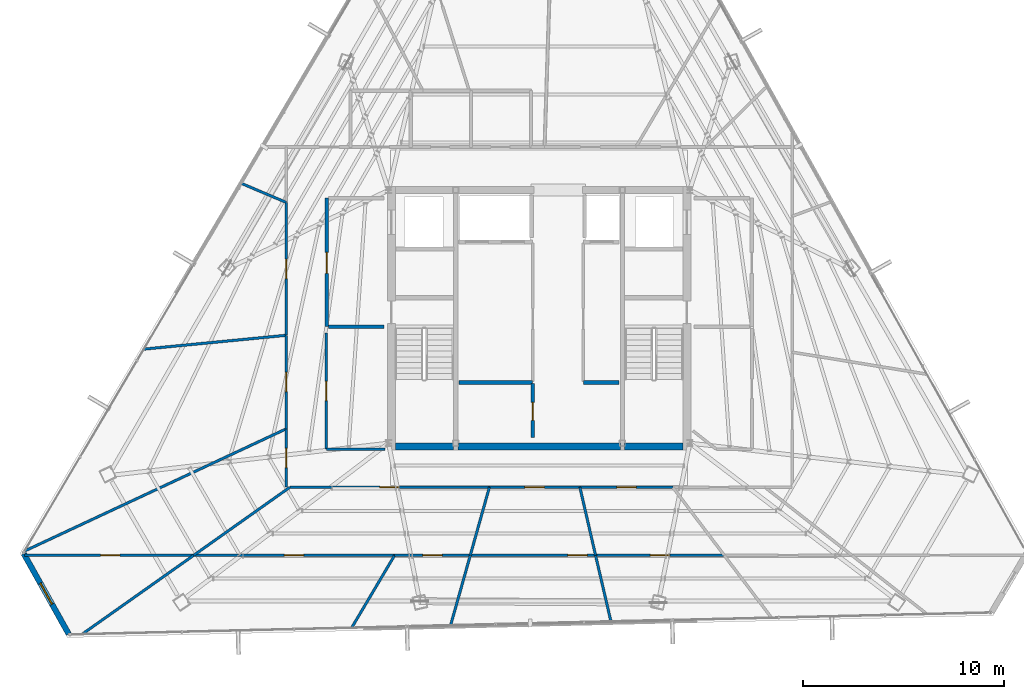
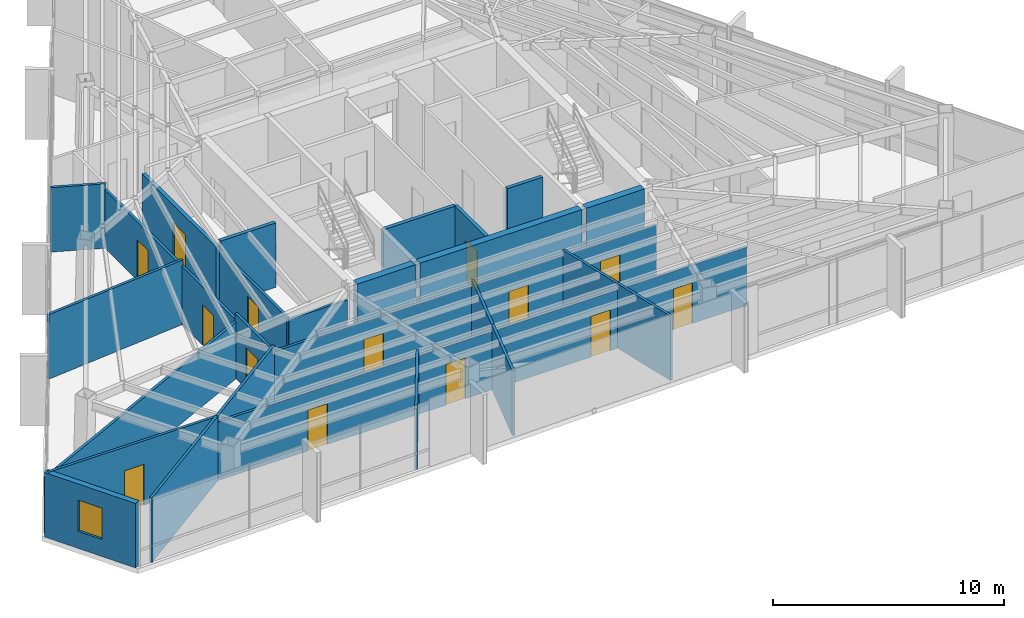
# One storey, part 40 of 45: 32 walls, 14 doors, 1 window, 15 openings.
"""IFC4 building model written with IfcOpenShell, lengths in metres."""

from ifc_helpers import new_model, si_unit, direction, frame, frame_2d, origin, place, context, subcontext, project, spatial, rectangle, extrude, material, layer, layer_set, type_object, element, fill, save


model = new_model("IFC4")

# Units and contexts
model_context = context("Model", 3, precision=1e-05, world=origin(), true_north=direction((0.0, 1.0)))
body_context = subcontext(model_context, "Body", "Model", "MODEL_VIEW")
ifc_project = project(units=[si_unit("LENGTHUNIT", "METRE"), si_unit("AREAUNIT", "SQUARE_METRE"), si_unit("VOLUMEUNIT", "CUBIC_METRE"), si_unit("PLANEANGLEUNIT", "RADIAN"), si_unit("MASSUNIT", "GRAM", prefix="KILO")], contexts=[model_context])

# Site, building, storey
site_placement = place(None, origin())
site = spatial("IfcSite", under=ifc_project, at=site_placement, CompositionType="ELEMENT")
building_placement = place(site_placement, origin())
building = spatial("IfcBuilding", under=site, at=building_placement, Name="Caelisora Broadcast Tower", CompositionType="ELEMENT")
storey_placement = place(building_placement, frame((0.0, 0.0, 262.699951171875)))
storey = spatial("IfcBuildingStorey", under=building, at=storey_placement, Name="L69", CompositionType="ELEMENT", Elevation=262.699951171875)

# Walls
ifc_material_1 = material(Name="Concrete 40 MPa (AS 3600 N40)", Category="concrete")
ifc_layer_1 = layer(ifc_material_1, 0.35009765625, Name="Concrete 40 MPa (AS 3600 N40)")
ifc_layer_set_1 = layer_set([ifc_layer_1], Name="Concrete 40 MPa (AS 3600 N40)")
wall_type_1 = type_object("IfcWallType", Name="CW6", PredefinedType="SHEAR", material=ifc_layer_set_1)
wall_1_placement = place(storey_placement, frame((30.840087890625, 17.22509765625, 0.0), z_axis=(0.0, 0.0, 1.0), x_axis=(1.0, 0.0, 0.0)))
element("IfcWall", 1, at=wall_1_placement, inside=storey, type_object=wall_type_1, Name="L69 core shear wall CW6", PredefinedType="SHEAR", context=body_context, shape_type="SweptSolid", body=[
    extrude(rectangle(XDim=2.89990234375, YDim=0.35009765625, at=frame_2d((1.449951171875, 0.0))), origin(), (0.0, 0.0, 1.0), 3.650146484375),
])
wall_2_placement = place(storey_placement, frame((33.9599609375, 17.22509765625, 0.0), z_axis=(0.0, 0.0, 1.0), x_axis=(1.0, 0.0, 0.0)))
element("IfcWall", 2, at=wall_2_placement, inside=storey, type_object=wall_type_1, Name="L69 core shear wall CW6", PredefinedType="SHEAR", context=body_context, shape_type="SweptSolid", body=[
    extrude(rectangle(XDim=8.080078125, YDim=0.35009765625, at=frame_2d((4.0400390625, 0.0))), origin(), (0.0, 0.0, 1.0), 3.650146484375),
])
wall_3_placement = place(storey_placement, frame((42.260009765625, 17.22509765625, 0.0), z_axis=(0.0, 0.0, 1.0), x_axis=(1.0, 0.0, 0.0)))
element("IfcWall", 3, at=wall_3_placement, inside=storey, type_object=wall_type_1, Name="L69 core shear wall CW6", PredefinedType="SHEAR", context=body_context, shape_type="SweptSolid", body=[
    extrude(rectangle(XDim=2.89990234375, YDim=0.35009765625, at=frame_2d((1.449951171875, 0.0))), origin(), (0.0, 0.0, 1.0), 3.650146484375),
])

# Wall, opening, window
ifc_material_2 = material(Name="Insulated Terracotta Spandrel Wall System", Category="masonry")
ifc_layer_2 = layer(ifc_material_2, 0.280029296875, Name="Insulated Terracotta Spandrel Wall System")
ifc_layer_set_2 = layer_set([ifc_layer_2], Name="Insulated Terracotta Spandrel Wall System")
wall_type_2 = type_object("IfcWallType", Name="EW1", PredefinedType="STANDARD", material=ifc_layer_set_2)
wall_4_placement = place(storey_placement, frame((14.5693359375, 7.89013671875, 0.0), z_axis=(0.0, 0.0, 1.0), x_axis=(-0.487948906059, 0.872872192864, 0.0)))
wall_4 = element("IfcWall", 4, at=wall_4_placement, inside=storey, type_object=wall_type_2, Name="L69 exterior envelope wall EW1", PredefinedType="STANDARD", context=body_context, shape_type="SweptSolid", body=[
    extrude(rectangle(XDim=4.590087890625, YDim=0.280029296875, at=frame_2d((2.294921875, 0.0))), origin(), (0.0, 0.0, 1.0), 3.400146484375),
])
opening_1_placement = place(wall_4_placement, frame((1.699951171875, 0.0, 0.89990234375)))
opening_1 = element("IfcOpeningElement", 5, at=opening_1_placement, cuts=wall_4, Name="Opening W03", PredefinedType="OPENING", context=body_context, shape_type="SweptSolid", body=[
    extrude(rectangle(XDim=1.199951171875, YDim=1.64990234375, at=frame_2d((0.60009765625, 0.824951171875))), frame((0.0, 0.152099609375, 0.0), z_axis=(0.0, -1.0, 0.0), x_axis=(1.0, 0.0, 0.0)), (0.0, 0.0, 1.0), 0.303955078125),
])
ifc_material_3 = material(Name="Double Glazed Corner Vision Window", Category="glass")
window_type = type_object("IfcWindowType", Name="W03", PartitioningType="SINGLE_PANEL", PredefinedType="WINDOW", material=ifc_material_3)
window_placement = place(opening_1_placement, origin())
window = element("IfcWindow", 6, at=window_placement, inside=storey, type_object=window_type, Name="L69 window W03 (L69-WN-CH4)", OverallHeight=1.64990234375, OverallWidth=1.199951171875, PartitioningType="SINGLE_PANEL", PredefinedType="WINDOW", context=body_context, shape_type="SweptSolid", body=[
    extrude(rectangle(XDim=1.199951171875, YDim=1.64990234375, at=frame_2d((0.60009765625, 0.824951171875))), frame((0.0, 0.030029296875, 0.0), z_axis=(0.0, -1.0, 0.0), x_axis=(1.0, 0.0, 0.0)), (0.0, 0.0, 1.0), 0.06005859375),
])
fill(opening_1, window)

# Wall, opening, door
ifc_material_4 = material(Name="Fire-Rated Gypsum Shaft and Compartment Wall", Category="gypsum")
ifc_layer_3 = layer(ifc_material_4, 0.179931640625, Name="Fire-Rated Gypsum Shaft and Compartment Wall")
ifc_layer_set_3 = layer_set([ifc_layer_3], Name="Fire-Rated Gypsum Shaft and Compartment Wall")
wall_type_3 = type_object("IfcWallType", Name="PW2", PredefinedType="PARTITIONING", material=ifc_layer_set_3)
wall_5_placement = place(storey_placement, frame((27.419921875, 23.199951171875, 0.0), z_axis=(0.0, 0.0, 1.0), x_axis=(0.0, 1.0, 0.0)))
wall_5 = element("IfcWall", 7, at=wall_5_placement, inside=storey, type_object=wall_type_3, Name="L69 fire compartment wall PW2", PredefinedType="PARTITIONING", context=body_context, shape_type="SweptSolid", body=[
    extrude(rectangle(XDim=6.400146484375, YDim=0.179931640625, at=frame_2d((3.2001953125, 0.0))), origin(), (0.0, 0.0, 1.0), 3.0849609375),
])
opening_2_placement = place(wall_5_placement, frame((2.64990234375, 0.0, 0.0)))
opening_2 = element("IfcOpeningElement", 8, at=opening_2_placement, cuts=wall_5, Name="Opening FD02", PredefinedType="OPENING", context=body_context, shape_type="SweptSolid", body=[
    extrude(rectangle(XDim=1.050048828125, YDim=2.14990234375, at=frame_2d((0.52490234375, 1.074951171875))), frame((0.0, 0.10205078125, 0.0), z_axis=(0.0, -1.0, 0.0), x_axis=(1.0, 0.0, 0.0)), (0.0, 0.0, 1.0), 0.203857421875),
])
ifc_material_5 = material(Name="Single-Leaf Steel Fire Lobby Door", Category="steel")
door_type_1 = type_object("IfcDoorType", Name="FD02", OperationType="NOTDEFINED", PredefinedType="DOOR", material=ifc_material_5)
door_1_placement = place(opening_2_placement, origin())
door_1 = element("IfcDoor", 9, at=door_1_placement, inside=storey, type_object=door_type_1, Name="L69 door FD02 (L69-DR-P01D1)", OperationType="SINGLE_SWING_LEFT", OverallHeight=2.14990234375, OverallWidth=1.050048828125, PredefinedType="DOOR", context=body_context, shape_type="SweptSolid", body=[
    extrude(rectangle(XDim=1.050048828125, YDim=2.14990234375, at=frame_2d((0.52490234375, 1.074951171875))), frame((0.0, 0.02490234375, 0.0), z_axis=(0.0, -1.0, 0.0), x_axis=(1.0, 0.0, 0.0)), (0.0, 0.0, 1.0), 0.050048828125),
])
fill(opening_2, door_1)

# Walls
wall_6_placement = place(storey_placement, frame((27.52001953125, 23.199951171875, 0.0), z_axis=(0.0, 0.0, 1.0), x_axis=(1.0, 0.0, 0.0)))
element("IfcWall", 10, at=wall_6_placement, inside=storey, type_object=wall_type_3, Name="L69 fire compartment wall PW2", PredefinedType="PARTITIONING", context=body_context, shape_type="SweptSolid", body=[
    extrude(rectangle(XDim=2.760009765625, YDim=0.179931640625, at=frame_2d((1.3798828125, 0.0))), origin(), (0.0, 0.0, 1.0), 3.400146484375),
])
wall_7_placement = place(storey_placement, frame((34.02001953125, 20.419921875, 0.0), z_axis=(0.0, 0.0, 1.0), x_axis=(1.0, 0.0, 0.0)))
element("IfcWall", 11, at=wall_7_placement, inside=storey, type_object=wall_type_3, Name="L69 fire compartment wall PW2", PredefinedType="PARTITIONING", context=body_context, shape_type="SweptSolid", body=[
    extrude(rectangle(XDim=3.639892578125, YDim=0.179931640625, at=frame_2d((1.81982421875, 0.0))), origin(), (0.0, 0.0, 1.0), 3.400146484375),
])
wall_8_placement = place(storey_placement, frame((40.219970703125, 20.419921875, 0.0), z_axis=(0.0, 0.0, 1.0), x_axis=(1.0, 0.0, 0.0)))
element("IfcWall", 12, at=wall_8_placement, inside=storey, type_object=wall_type_3, Name="L69 fire compartment wall PW2", PredefinedType="PARTITIONING", context=body_context, shape_type="SweptSolid", body=[
    extrude(rectangle(XDim=1.760009765625, YDim=0.179931640625, at=frame_2d((0.8798828125, 0.0))), origin(), (0.0, 0.0, 1.0), 3.400146484375),
])

# Wall, opening, door
wall_9_placement = place(storey_placement, frame((37.679931640625, 17.679931640625, 0.0), z_axis=(0.0, 0.0, 1.0), x_axis=(0.0, 1.0, 0.0)))
wall_9 = element("IfcWall", 13, at=wall_9_placement, inside=storey, type_object=wall_type_3, Name="L69 fire compartment wall PW2", PredefinedType="PARTITIONING", context=body_context, shape_type="SweptSolid", body=[
    extrude(rectangle(XDim=2.699951171875, YDim=0.179931640625, at=frame_2d((1.35009765625, 0.0))), origin(), (0.0, 0.0, 1.0), 3.400146484375),
])
opening_3_placement = place(wall_9_placement, frame((0.85009765625, 0.0, 0.0)))
opening_3 = element("IfcOpeningElement", 14, at=opening_3_placement, cuts=wall_9, Name="Opening FD03", PredefinedType="OPENING", context=body_context, shape_type="SweptSolid", body=[
    extrude(rectangle(XDim=0.89990234375, YDim=2.10009765625, at=frame_2d((0.449951171875, 1.050048828125))), frame((0.0, 0.10205078125, 0.0), z_axis=(0.0, -1.0, 0.0), x_axis=(1.0, 0.0, 0.0)), (0.0, 0.0, 1.0), 0.203857421875),
])
ifc_material_6 = material(Name="Single-Leaf Steel Riser Fire Access Door", Category="steel")
door_type_2 = type_object("IfcDoorType", Name="FD03", OperationType="NOTDEFINED", PredefinedType="DOOR", material=ifc_material_6)
door_2_placement = place(opening_3_placement, origin())
door_2 = element("IfcDoor", 15, at=door_2_placement, inside=storey, type_object=door_type_2, Name="L69 door FD03 (L69-DR-P13D1)", OperationType="SINGLE_SWING_LEFT", OverallHeight=2.10009765625, OverallWidth=0.89990234375, PredefinedType="DOOR", context=body_context, shape_type="SweptSolid", body=[
    extrude(rectangle(XDim=0.89990234375, YDim=2.10009765625, at=frame_2d((0.449951171875, 1.050048828125))), frame((0.0, 0.02490234375, 0.0), z_axis=(0.0, -1.0, 0.0), x_axis=(1.0, 0.0, 0.0)), (0.0, 0.0, 1.0), 0.050048828125),
])
fill(opening_3, door_2)

# Wall
ifc_material_7 = material(Name="Acoustic Steel-Stud Plasterboard Partition", Category="gypsum")
ifc_layer_4 = layer(ifc_material_7, 0.1298828125, Name="Acoustic Steel-Stud Plasterboard Partition")
ifc_layer_set_4 = layer_set([ifc_layer_4], Name="Acoustic Steel-Stud Plasterboard Partition")
wall_type_4 = type_object("IfcWallType", Name="PW3", PredefinedType="PARTITIONING", material=ifc_layer_set_4)
wall_10_placement = place(storey_placement, frame((12.368896484375, 12.0244140625, 0.0), z_axis=(0.0, 0.0, 1.0), x_axis=(0.906059457016, 0.423150399211, 0.0)))
element("IfcWall", 16, at=wall_10_placement, inside=storey, type_object=wall_type_4, Name="L69 internal partition PW3", PredefinedType="PARTITIONING", context=body_context, shape_type="SweptSolid", body=[
    extrude(rectangle(XDim=14.376708984375, YDim=0.1298828125, at=frame_2d((7.1884765625, 0.0))), origin(), (0.0, 0.0, 1.0), 2.985107421875),
])

# Wall, opening, door
wall_11_placement = place(storey_placement, frame((20.794921875, 11.81005859375, 0.0), z_axis=(0.0, 0.0, 1.0), x_axis=(1.0, 0.0, 0.0)))
wall_11 = element("IfcWall", 17, at=wall_11_placement, inside=storey, type_object=wall_type_4, Name="L69 internal partition PW3", PredefinedType="PARTITIONING", context=body_context, shape_type="SweptSolid", body=[
    extrude(rectangle(XDim=10.0, YDim=0.1298828125, at=frame_2d((5.0, 0.0))), origin(), (0.0, 0.0, 1.0), 3.0849609375),
])
opening_4_placement = place(wall_11_placement, frame((4.52001953125, 0.0, 0.0)))
opening_4 = element("IfcOpeningElement", 18, at=opening_4_placement, cuts=wall_11, Name="Opening D01", PredefinedType="OPENING", context=body_context, shape_type="SweptSolid", body=[
    extrude(rectangle(XDim=0.9599609375, YDim=2.14990234375, at=frame_2d((0.47998046875, 1.074951171875))), frame((0.0, 0.076904296875, 0.0), z_axis=(0.0, -1.0, 0.0), x_axis=(1.0, 0.0, 0.0)), (0.0, 0.0, 1.0), 0.15380859375),
])
ifc_material_8 = material(Name="Solid-Core Timber Acoustic Office Door", Category="wood")
door_type_3 = type_object("IfcDoorType", Name="D01", OperationType="NOTDEFINED", PredefinedType="DOOR", material=ifc_material_8)
door_3_placement = place(opening_4_placement, origin())
door_3 = element("IfcDoor", 19, at=door_3_placement, inside=storey, type_object=door_type_3, Name="L69 door D01 (L69-DR-P29D1)", OperationType="SINGLE_SWING_LEFT", OverallHeight=2.14990234375, OverallWidth=0.9599609375, PredefinedType="DOOR", context=body_context, shape_type="SweptSolid", body=[
    extrude(rectangle(XDim=0.9599609375, YDim=2.14990234375, at=frame_2d((0.47998046875, 1.074951171875))), frame((0.0, 0.02490234375, 0.0), z_axis=(0.0, -1.0, 0.0), x_axis=(1.0, 0.0, 0.0)), (0.0, 0.0, 1.0), 0.050048828125),
])
fill(opening_4, door_3)

wall_12_placement = place(storey_placement, frame((25.5849609375, 15.199951171875, 0.0), z_axis=(0.0, 0.0, 1.0), x_axis=(1.0, 0.0, 0.0)))
wall_12 = element("IfcWall", 20, at=wall_12_placement, inside=storey, type_object=wall_type_4, Name="L69 internal partition PW3", PredefinedType="PARTITIONING", context=body_context, shape_type="SweptSolid", body=[
    extrude(rectangle(XDim=9.929931640625, YDim=0.1298828125, at=frame_2d((4.96484375, 0.0))), origin(), (0.0, 0.0, 1.0), 3.0849609375),
])
opening_5_placement = place(wall_12_placement, frame((4.485107421875, 0.0, 0.0)))
opening_5 = element("IfcOpeningElement", 21, at=opening_5_placement, cuts=wall_12, Name="Opening D01", PredefinedType="OPENING", context=body_context, shape_type="SweptSolid", body=[
    extrude(rectangle(XDim=0.9599609375, YDim=2.14990234375, at=frame_2d((0.47998046875, 1.074951171875))), frame((0.0, 0.076904296875, 0.0), z_axis=(0.0, -1.0, 0.0), x_axis=(1.0, 0.0, 0.0)), (0.0, 0.0, 1.0), 0.15380859375),
])
door_4_placement = place(opening_5_placement, origin())
door_4 = element("IfcDoor", 22, at=door_4_placement, inside=storey, type_object=door_type_3, Name="L69 door D01 (L69-DR-P30D1)", OperationType="SINGLE_SWING_RIGHT", OverallHeight=2.14990234375, OverallWidth=0.9599609375, PredefinedType="DOOR", context=body_context, shape_type="SweptSolid", body=[
    extrude(rectangle(XDim=0.9599609375, YDim=2.14990234375, at=frame_2d((0.47998046875, 1.074951171875))), frame((0.0, 0.02490234375, 0.0), z_axis=(0.0, -1.0, 0.0), x_axis=(1.0, 0.0, 0.0)), (0.0, 0.0, 1.0), 0.050048828125),
])
fill(opening_5, door_4)

wall_13_placement = place(storey_placement, frame((12.372314453125, 11.81005859375, 0.0), z_axis=(0.0, 0.0, 1.0), x_axis=(1.0, 0.0, 0.0)))
wall_13 = element("IfcWall", 23, at=wall_13_placement, inside=storey, type_object=wall_type_4, Name="L69 internal partition PW3", PredefinedType="PARTITIONING", context=body_context, shape_type="SweptSolid", body=[
    extrude(rectangle(XDim=8.41259765625, YDim=0.1298828125, at=frame_2d((4.206298828125, 0.0))), origin(), (0.0, 0.0, 1.0), 3.400146484375),
])
opening_6_placement = place(wall_13_placement, frame((3.782958984375, 0.0, 0.0)))
opening_6 = element("IfcOpeningElement", 24, at=opening_6_placement, cuts=wall_13, Name="Opening D01", PredefinedType="OPENING", context=body_context, shape_type="SweptSolid", body=[
    extrude(rectangle(XDim=0.9599609375, YDim=2.14990234375, at=frame_2d((0.47998046875, 1.074951171875))), frame((0.0, 0.076904296875, 0.0), z_axis=(0.0, -1.0, 0.0), x_axis=(1.0, 0.0, 0.0)), (0.0, 0.0, 1.0), 0.15380859375),
])
door_5_placement = place(opening_6_placement, origin())
door_5 = element("IfcDoor", 25, at=door_5_placement, inside=storey, type_object=door_type_3, Name="L69 door D01 (L69-DR-P32D1)", OperationType="SINGLE_SWING_RIGHT", OverallHeight=2.14990234375, OverallWidth=0.9599609375, PredefinedType="DOOR", context=body_context, shape_type="SweptSolid", body=[
    extrude(rectangle(XDim=0.9599609375, YDim=2.14990234375, at=frame_2d((0.47998046875, 1.074951171875))), frame((0.0, 0.02490234375, 0.0), z_axis=(0.0, -1.0, 0.0), x_axis=(1.0, 0.0, 0.0)), (0.0, 0.0, 1.0), 0.050048828125),
])
fill(opening_6, door_5)

# Walls
wall_14_placement = place(storey_placement, frame((18.308349609375, 22.08154296875, 0.0), z_axis=(0.0, 0.0, 1.0), x_axis=(0.995313993545, 0.096695678568, 0.0)))
element("IfcWall", 26, at=wall_14_placement, inside=storey, type_object=wall_type_4, Name="L69 internal partition PW3", PredefinedType="PARTITIONING", context=body_context, shape_type="SweptSolid", body=[
    extrude(rectangle(XDim=7.1201171875, YDim=0.1298828125, at=frame_2d((3.56005859375, 0.0))), origin(), (0.0, 0.0, 1.0), 3.400146484375),
])
wall_15_placement = place(storey_placement, frame((15.223388671875, 7.874267578125, 0.0), z_axis=(0.0, 0.0, 1.0), x_axis=(0.816542546337, 0.577285258795, 0.0)))
element("IfcWall", 27, at=wall_15_placement, inside=storey, type_object=wall_type_4, Name="L69 internal partition PW3", PredefinedType="PARTITIONING", context=body_context, shape_type="SweptSolid", body=[
    extrude(rectangle(XDim=6.812255859375, YDim=0.1298828125, at=frame_2d((3.40625, 0.0))), origin(), (0.0, 0.0, 1.0), 3.400146484375),
])

# Wall, opening, door
wall_16_placement = place(storey_placement, frame((25.39990234375, 22.77490234375, 0.0), z_axis=(0.0, 0.0, 1.0), x_axis=(0.0, 1.0, 0.0)))
wall_16 = element("IfcWall", 28, at=wall_16_placement, inside=storey, type_object=wall_type_4, Name="L69 internal partition PW3", PredefinedType="PARTITIONING", context=body_context, shape_type="SweptSolid", body=[
    extrude(rectangle(XDim=6.610107421875, YDim=0.1298828125, at=frame_2d((3.30517578125, 0.0))), origin(), (0.0, 0.0, 1.0), 3.0849609375),
])
opening_7_placement = place(wall_16_placement, frame((2.824951171875, 0.0, 0.0)))
opening_7 = element("IfcOpeningElement", 29, at=opening_7_placement, cuts=wall_16, Name="Opening D01", PredefinedType="OPENING", context=body_context, shape_type="SweptSolid", body=[
    extrude(rectangle(XDim=0.9599609375, YDim=2.14990234375, at=frame_2d((0.47998046875, 1.074951171875))), frame((0.0, 0.076904296875, 0.0), z_axis=(0.0, -1.0, 0.0), x_axis=(1.0, 0.0, 0.0)), (0.0, 0.0, 1.0), 0.15380859375),
])
door_6_placement = place(opening_7_placement, origin())
door_6 = element("IfcDoor", 30, at=door_6_placement, inside=storey, type_object=door_type_3, Name="L69 door D01 (L69-DR-P40D1)", OperationType="SINGLE_SWING_LEFT", OverallHeight=2.14990234375, OverallWidth=0.9599609375, PredefinedType="DOOR", context=body_context, shape_type="SweptSolid", body=[
    extrude(rectangle(XDim=0.9599609375, YDim=2.14990234375, at=frame_2d((0.47998046875, 1.074951171875))), frame((0.0, 0.02490234375, 0.0), z_axis=(0.0, -1.0, 0.0), x_axis=(1.0, 0.0, 0.0)), (0.0, 0.0, 1.0), 0.050048828125),
])
fill(opening_7, door_6)

wall_17_placement = place(storey_placement, frame((40.81494140625, 11.81005859375, 0.0), z_axis=(0.0, 0.0, 1.0), x_axis=(1.0, 0.0, 0.0)))
wall_17 = element("IfcWall", 31, at=wall_17_placement, inside=storey, type_object=wall_type_4, Name="L69 internal partition PW3", PredefinedType="PARTITIONING", context=body_context, shape_type="SweptSolid", body=[
    extrude(rectangle(XDim=6.400146484375, YDim=0.1298828125, at=frame_2d((3.2001953125, 0.0))), origin(), (0.0, 0.0, 1.0), 3.0849609375),
])
opening_8_placement = place(wall_17_placement, frame((2.719970703125, 0.0, 0.0)))
opening_8 = element("IfcOpeningElement", 32, at=opening_8_placement, cuts=wall_17, Name="Opening D01", PredefinedType="OPENING", context=body_context, shape_type="SweptSolid", body=[
    extrude(rectangle(XDim=0.9599609375, YDim=2.14990234375, at=frame_2d((0.47998046875, 1.074951171875))), frame((0.0, 0.076904296875, 0.0), z_axis=(0.0, -1.0, 0.0), x_axis=(1.0, 0.0, 0.0)), (0.0, 0.0, 1.0), 0.15380859375),
])
door_7_placement = place(opening_8_placement, origin())
door_7 = element("IfcDoor", 33, at=door_7_placement, inside=storey, type_object=door_type_3, Name="L69 door D01 (L69-DR-P42D1)", OperationType="SINGLE_SWING_RIGHT", OverallHeight=2.14990234375, OverallWidth=0.9599609375, PredefinedType="DOOR", context=body_context, shape_type="SweptSolid", body=[
    extrude(rectangle(XDim=0.9599609375, YDim=2.14990234375, at=frame_2d((0.47998046875, 1.074951171875))), frame((0.0, 0.02490234375, 0.0), z_axis=(0.0, -1.0, 0.0), x_axis=(1.0, 0.0, 0.0)), (0.0, 0.0, 1.0), 0.050048828125),
])
fill(opening_8, door_7)

wall_18_placement = place(storey_placement, frame((34.574951171875, 11.81005859375, 0.0), z_axis=(0.0, 0.0, 1.0), x_axis=(1.0, 0.0, 0.0)))
wall_18 = element("IfcWall", 34, at=wall_18_placement, inside=storey, type_object=wall_type_4, Name="L69 internal partition PW3", PredefinedType="PARTITIONING", context=body_context, shape_type="SweptSolid", body=[
    extrude(rectangle(XDim=6.22998046875, YDim=0.1298828125, at=frame_2d((3.114990234375, 0.0))), origin(), (0.0, 0.0, 1.0), 3.0849609375),
])
opening_9_placement = place(wall_18_placement, frame((4.860107421875, 0.0, 0.0)))
opening_9 = element("IfcOpeningElement", 35, at=opening_9_placement, cuts=wall_18, Name="Opening D01", PredefinedType="OPENING", context=body_context, shape_type="SweptSolid", body=[
    extrude(rectangle(XDim=0.9599609375, YDim=2.14990234375, at=frame_2d((0.47998046875, 1.074951171875))), frame((0.0, 0.076904296875, 0.0), z_axis=(0.0, -1.0, 0.0), x_axis=(1.0, 0.0, 0.0)), (0.0, 0.0, 1.0), 0.15380859375),
])
door_8_placement = place(opening_9_placement, origin())
door_8 = element("IfcDoor", 36, at=door_8_placement, inside=storey, type_object=door_type_3, Name="L69 door D01 (L69-DR-P44D1)", OperationType="SINGLE_SWING_RIGHT", OverallHeight=2.14990234375, OverallWidth=0.9599609375, PredefinedType="DOOR", context=body_context, shape_type="SweptSolid", body=[
    extrude(rectangle(XDim=0.9599609375, YDim=2.14990234375, at=frame_2d((0.47998046875, 1.074951171875))), frame((0.0, 0.02490234375, 0.0), z_axis=(0.0, -1.0, 0.0), x_axis=(1.0, 0.0, 0.0)), (0.0, 0.0, 1.0), 0.050048828125),
])
fill(opening_9, door_8)

wall_19_placement = place(storey_placement, frame((27.39990234375, 17.10498046875, 0.0), z_axis=(0.0, 0.0, 1.0), x_axis=(0.0, 1.0, 0.0)))
wall_19 = element("IfcWall", 37, at=wall_19_placement, inside=storey, type_object=wall_type_4, Name="L69 internal partition PW3", PredefinedType="PARTITIONING", context=body_context, shape_type="SweptSolid", body=[
    extrude(rectangle(XDim=5.7900390625, YDim=0.1298828125, at=frame_2d((2.89501953125, 0.0))), origin(), (0.0, 0.0, 1.0), 3.0849609375),
])
opening_10_placement = place(wall_19_placement, frame((2.4150390625, 0.0, 0.0)))
opening_10 = element("IfcOpeningElement", 38, at=opening_10_placement, cuts=wall_19, Name="Opening D01", PredefinedType="OPENING", context=body_context, shape_type="SweptSolid", body=[
    extrude(rectangle(XDim=0.9599609375, YDim=2.14990234375, at=frame_2d((0.47998046875, 1.074951171875))), frame((0.0, 0.076904296875, 0.0), z_axis=(0.0, -1.0, 0.0), x_axis=(1.0, 0.0, 0.0)), (0.0, 0.0, 1.0), 0.15380859375),
])
door_9_placement = place(opening_10_placement, origin())
door_9 = element("IfcDoor", 39, at=door_9_placement, inside=storey, type_object=door_type_3, Name="L69 door D01 (L69-DR-P46D1)", OperationType="SINGLE_SWING_RIGHT", OverallHeight=2.14990234375, OverallWidth=0.9599609375, PredefinedType="DOOR", context=body_context, shape_type="SweptSolid", body=[
    extrude(rectangle(XDim=0.9599609375, YDim=2.14990234375, at=frame_2d((0.47998046875, 1.074951171875))), frame((0.0, 0.02490234375, 0.0), z_axis=(0.0, -1.0, 0.0), x_axis=(1.0, 0.0, 0.0)), (0.0, 0.0, 1.0), 0.050048828125),
])
fill(opening_10, door_9)

# Wall
wall_20_placement = place(storey_placement, frame((20.7939453125, 11.81298828125, 0.0), z_axis=(0.0, 0.0, 1.0), x_axis=(0.816282397539, 0.57765305112, 0.0)))
element("IfcWall", 40, at=wall_20_placement, inside=storey, type_object=wall_type_4, Name="L69 internal partition PW3", PredefinedType="PARTITIONING", context=body_context, shape_type="SweptSolid", body=[
    extrude(rectangle(XDim=5.858154296875, YDim=0.1298828125, at=frame_2d((2.92919921875, 0.0))), origin(), (0.0, 0.0, 1.0), 3.400146484375),
])

# Wall, opening, door
wall_21_placement = place(storey_placement, frame((25.39990234375, 18.114990234375, 0.0), z_axis=(0.0, 0.0, 1.0), x_axis=(0.0, 1.0, 0.0)))
wall_21 = element("IfcWall", 41, at=wall_21_placement, inside=storey, type_object=wall_type_4, Name="L69 internal partition PW3", PredefinedType="PARTITIONING", context=body_context, shape_type="SweptSolid", body=[
    extrude(rectangle(XDim=4.64990234375, YDim=0.1298828125, at=frame_2d((2.324951171875, 0.0))), origin(), (0.0, 0.0, 1.0), 3.0849609375),
])
opening_11_placement = place(wall_21_placement, frame((1.844970703125, 0.0, 0.0)))
opening_11 = element("IfcOpeningElement", 42, at=opening_11_placement, cuts=wall_21, Name="Opening D01", PredefinedType="OPENING", context=body_context, shape_type="SweptSolid", body=[
    extrude(rectangle(XDim=0.9599609375, YDim=2.14990234375, at=frame_2d((0.47998046875, 1.074951171875))), frame((0.0, 0.076904296875, 0.0), z_axis=(0.0, -1.0, 0.0), x_axis=(1.0, 0.0, 0.0)), (0.0, 0.0, 1.0), 0.15380859375),
])
door_10_placement = place(opening_11_placement, origin())
door_10 = element("IfcDoor", 43, at=door_10_placement, inside=storey, type_object=door_type_3, Name="L69 door D01 (L69-DR-P50D1)", OperationType="SINGLE_SWING_LEFT", OverallHeight=2.14990234375, OverallWidth=0.9599609375, PredefinedType="DOOR", context=body_context, shape_type="SweptSolid", body=[
    extrude(rectangle(XDim=0.9599609375, YDim=2.14990234375, at=frame_2d((0.47998046875, 1.074951171875))), frame((0.0, 0.02490234375, 0.0), z_axis=(0.0, -1.0, 0.0), x_axis=(1.0, 0.0, 0.0)), (0.0, 0.0, 1.0), 0.050048828125),
])
fill(opening_11, door_10)

wall_22_placement = place(storey_placement, frame((40.034912109375, 15.199951171875, 0.0), z_axis=(0.0, 0.0, 1.0), x_axis=(1.0, 0.0, 0.0)))
wall_22 = element("IfcWall", 44, at=wall_22_placement, inside=storey, type_object=wall_type_4, Name="L69 internal partition PW3", PredefinedType="PARTITIONING", context=body_context, shape_type="SweptSolid", body=[
    extrude(rectangle(XDim=4.6201171875, YDim=0.1298828125, at=frame_2d((2.31005859375, 0.0))), origin(), (0.0, 0.0, 1.0), 3.0849609375),
])
opening_12_placement = place(wall_22_placement, frame((1.830078125, 0.0, 0.0)))
opening_12 = element("IfcOpeningElement", 45, at=opening_12_placement, cuts=wall_22, Name="Opening D01", PredefinedType="OPENING", context=body_context, shape_type="SweptSolid", body=[
    extrude(rectangle(XDim=0.9599609375, YDim=2.14990234375, at=frame_2d((0.47998046875, 1.074951171875))), frame((0.0, 0.076904296875, 0.0), z_axis=(0.0, -1.0, 0.0), x_axis=(1.0, 0.0, 0.0)), (0.0, 0.0, 1.0), 0.15380859375),
])
door_11_placement = place(opening_12_placement, origin())
door_11 = element("IfcDoor", 46, at=door_11_placement, inside=storey, type_object=door_type_3, Name="L69 door D01 (L69-DR-P51D1)", OperationType="SINGLE_SWING_RIGHT", OverallHeight=2.14990234375, OverallWidth=0.9599609375, PredefinedType="DOOR", context=body_context, shape_type="SweptSolid", body=[
    extrude(rectangle(XDim=0.9599609375, YDim=2.14990234375, at=frame_2d((0.47998046875, 1.074951171875))), frame((0.0, 0.02490234375, 0.0), z_axis=(0.0, -1.0, 0.0), x_axis=(1.0, 0.0, 0.0)), (0.0, 0.0, 1.0), 0.050048828125),
])
fill(opening_12, door_11)

wall_23_placement = place(storey_placement, frame((35.52490234375, 15.199951171875, 0.0), z_axis=(0.0, 0.0, 1.0), x_axis=(1.0, 0.0, 0.0)))
wall_23 = element("IfcWall", 47, at=wall_23_placement, inside=storey, type_object=wall_type_4, Name="L69 internal partition PW3", PredefinedType="PARTITIONING", context=body_context, shape_type="SweptSolid", body=[
    extrude(rectangle(XDim=4.5, YDim=0.1298828125, at=frame_2d((2.25, 0.0))), origin(), (0.0, 0.0, 1.0), 3.0849609375),
])
opening_13_placement = place(wall_23_placement, frame((1.77001953125, 0.0, 0.0)))
opening_13 = element("IfcOpeningElement", 48, at=opening_13_placement, cuts=wall_23, Name="Opening D01", PredefinedType="OPENING", context=body_context, shape_type="SweptSolid", body=[
    extrude(rectangle(XDim=0.9599609375, YDim=2.14990234375, at=frame_2d((0.47998046875, 1.074951171875))), frame((0.0, 0.076904296875, 0.0), z_axis=(0.0, -1.0, 0.0), x_axis=(1.0, 0.0, 0.0)), (0.0, 0.0, 1.0), 0.15380859375),
])
door_12_placement = place(opening_13_placement, origin())
door_12 = element("IfcDoor", 49, at=door_12_placement, inside=storey, type_object=door_type_3, Name="L69 door D01 (L69-DR-P54D1)", OperationType="SINGLE_SWING_LEFT", OverallHeight=2.14990234375, OverallWidth=0.9599609375, PredefinedType="DOOR", context=body_context, shape_type="SweptSolid", body=[
    extrude(rectangle(XDim=0.9599609375, YDim=2.14990234375, at=frame_2d((0.47998046875, 1.074951171875))), frame((0.0, 0.02490234375, 0.0), z_axis=(0.0, -1.0, 0.0), x_axis=(1.0, 0.0, 0.0)), (0.0, 0.0, 1.0), 0.050048828125),
])
fill(opening_13, door_12)

# Wall
wall_24_placement = place(storey_placement, frame((28.65576171875, 8.194091796875, 0.0), z_axis=(0.0, 0.0, 1.0), x_axis=(0.50998247847, 0.860184789248, 0.0)))
element("IfcWall", 50, at=wall_24_placement, inside=storey, type_object=wall_type_4, Name="L69 internal partition PW3", PredefinedType="PARTITIONING", context=body_context, shape_type="SweptSolid", body=[
    extrude(rectangle(XDim=4.198974609375, YDim=0.1298828125, at=frame_2d((2.099609375, 0.0))), origin(), (0.0, 0.0, 1.0), 3.400146484375),
])

# Wall, opening, door
wall_25_placement = place(storey_placement, frame((30.804931640625, 11.81005859375, 0.0), z_axis=(0.0, 0.0, 1.0), x_axis=(1.0, 0.0, 0.0)))
wall_25 = element("IfcWall", 51, at=wall_25_placement, inside=storey, type_object=wall_type_4, Name="L69 internal partition PW3", PredefinedType="PARTITIONING", context=body_context, shape_type="SweptSolid", body=[
    extrude(rectangle(XDim=3.760009765625, YDim=0.1298828125, at=frame_2d((1.8798828125, 0.0))), origin(), (0.0, 0.0, 1.0), 3.0849609375),
])
opening_14_placement = place(wall_25_placement, frame((1.39990234375, 0.0, 0.0)))
opening_14 = element("IfcOpeningElement", 52, at=opening_14_placement, cuts=wall_25, Name="Opening D01", PredefinedType="OPENING", context=body_context, shape_type="SweptSolid", body=[
    extrude(rectangle(XDim=0.9599609375, YDim=2.14990234375, at=frame_2d((0.47998046875, 1.074951171875))), frame((0.0, 0.076904296875, 0.0), z_axis=(0.0, -1.0, 0.0), x_axis=(1.0, 0.0, 0.0)), (0.0, 0.0, 1.0), 0.15380859375),
])
door_13_placement = place(opening_14_placement, origin())
door_13 = element("IfcDoor", 53, at=door_13_placement, inside=storey, type_object=door_type_3, Name="L69 door D01 (L69-DR-P60D1)", OperationType="SINGLE_SWING_LEFT", OverallHeight=2.14990234375, OverallWidth=0.9599609375, PredefinedType="DOOR", context=body_context, shape_type="SweptSolid", body=[
    extrude(rectangle(XDim=0.9599609375, YDim=2.14990234375, at=frame_2d((0.47998046875, 1.074951171875))), frame((0.0, 0.02490234375, 0.0), z_axis=(0.0, -1.0, 0.0), x_axis=(1.0, 0.0, 0.0)), (0.0, 0.0, 1.0), 0.050048828125),
])
fill(opening_14, door_13)

# Walls
wall_26_placement = place(storey_placement, frame((33.585693359375, 8.3115234375, 0.0), z_axis=(0.0, 0.0, 1.0), x_axis=(0.270969604991, 0.962587904127, 0.0)))
element("IfcWall", 54, at=wall_26_placement, inside=storey, type_object=wall_type_4, Name="L69 internal partition PW3", PredefinedType="PARTITIONING", context=body_context, shape_type="SweptSolid", body=[
    extrude(rectangle(XDim=3.629150390625, YDim=0.1298828125, at=frame_2d((1.814453125, 0.0))), origin(), (0.0, 0.0, 1.0), 3.400146484375),
])
wall_27_placement = place(storey_placement, frame((34.571044921875, 11.81494140625, 0.0), z_axis=(0.0, 0.0, 1.0), x_axis=(0.2700426298, 0.962848367133, 0.0)))
element("IfcWall", 55, at=wall_27_placement, inside=storey, type_object=wall_type_4, Name="L69 internal partition PW3", PredefinedType="PARTITIONING", context=body_context, shape_type="SweptSolid", body=[
    extrude(rectangle(XDim=3.510498046875, YDim=0.1298828125, at=frame_2d((1.75537109375, 0.0))), origin(), (0.0, 0.0, 1.0), 3.400146484375),
])
wall_28_placement = place(storey_placement, frame((40.81103515625, 11.804931640625, 0.0), z_axis=(0.0, 0.0, 1.0), x_axis=(0.22634195214, -0.974047904726, 0.0)))
element("IfcWall", 56, at=wall_28_placement, inside=storey, type_object=wall_type_4, Name="L69 internal partition PW3", PredefinedType="PARTITIONING", context=body_context, shape_type="SweptSolid", body=[
    extrude(rectangle(XDim=3.39111328125, YDim=0.1298828125, at=frame_2d((1.695556640625, 0.0))), origin(), (0.0, 0.0, 1.0), 3.400146484375),
])
wall_29_placement = place(storey_placement, frame((40.031005859375, 15.195068359375, 0.0), z_axis=(0.0, 0.0, 1.0), x_axis=(0.224324844481, -0.974514424803, 0.0)))
element("IfcWall", 57, at=wall_29_placement, inside=storey, type_object=wall_type_4, Name="L69 internal partition PW3", PredefinedType="PARTITIONING", context=body_context, shape_type="SweptSolid", body=[
    extrude(rectangle(XDim=3.468505859375, YDim=0.1298828125, at=frame_2d((1.734375, 0.0))), origin(), (0.0, 0.0, 1.0), 3.400146484375),
])
wall_30_placement = place(storey_placement, frame((30.324951171875, 17.10009765625, 0.0), z_axis=(0.0, 0.0, 1.0), x_axis=(-1.0, 0.0, 0.0)))
element("IfcWall", 58, at=wall_30_placement, inside=storey, type_object=wall_type_4, Name="L69 internal partition PW3", PredefinedType="PARTITIONING", context=body_context, shape_type="SweptSolid", body=[
    extrude(rectangle(XDim=2.919921875, YDim=0.1298828125, at=frame_2d((1.4599609375, 0.0))), origin(), (0.0, 0.0, 1.0), 2.985107421875),
])

# Wall, opening, door
wall_31_placement = place(storey_placement, frame((25.39990234375, 18.10498046875, 0.0), z_axis=(0.0, 0.0, 1.0), x_axis=(0.0, -1.0, 0.0)))
wall_31 = element("IfcWall", 59, at=wall_31_placement, inside=storey, type_object=wall_type_4, Name="L69 internal partition PW3", PredefinedType="PARTITIONING", context=body_context, shape_type="SweptSolid", body=[
    extrude(rectangle(XDim=2.89990234375, YDim=0.1298828125, at=frame_2d((1.449951171875, 0.0))), origin(), (0.0, 0.0, 1.0), 3.400146484375),
])
opening_15_placement = place(wall_31_placement, frame((0.969970703125, 0.0, 0.0)))
opening_15 = element("IfcOpeningElement", 60, at=opening_15_placement, cuts=wall_31, Name="Opening D01", PredefinedType="OPENING", context=body_context, shape_type="SweptSolid", body=[
    extrude(rectangle(XDim=0.9599609375, YDim=2.14990234375, at=frame_2d((0.47998046875, 1.074951171875))), frame((0.0, 0.076904296875, 0.0), z_axis=(0.0, -1.0, 0.0), x_axis=(1.0, 0.0, 0.0)), (0.0, 0.0, 1.0), 0.15380859375),
])
door_14_placement = place(opening_15_placement, origin())
door_14 = element("IfcDoor", 61, at=door_14_placement, inside=storey, type_object=door_type_3, Name="L69 door D01 (L69-DR-P69D1)", OperationType="SINGLE_SWING_RIGHT", OverallHeight=2.14990234375, OverallWidth=0.9599609375, PredefinedType="DOOR", context=body_context, shape_type="SweptSolid", body=[
    extrude(rectangle(XDim=0.9599609375, YDim=2.14990234375, at=frame_2d((0.47998046875, 1.074951171875))), frame((0.0, 0.02490234375, 0.0), z_axis=(0.0, -1.0, 0.0), x_axis=(1.0, 0.0, 0.0)), (0.0, 0.0, 1.0), 0.050048828125),
])
fill(opening_15, door_14)

# Wall
wall_32_placement = place(storey_placement, frame((23.1806640625, 30.33154296875, 0.0), z_axis=(0.0, 0.0, 1.0), x_axis=(0.920577358603, -0.390560272977, 0.0)))
element("IfcWall", 62, at=wall_32_placement, inside=storey, type_object=wall_type_4, Name="L69 internal partition PW3", PredefinedType="PARTITIONING", context=body_context, shape_type="SweptSolid", body=[
    extrude(rectangle(XDim=2.405517578125, YDim=0.1298828125, at=frame_2d((1.20263671875, 0.0))), origin(), (0.0, 0.0, 1.0), 3.400146484375),
])

save(model, "model.ifc")
